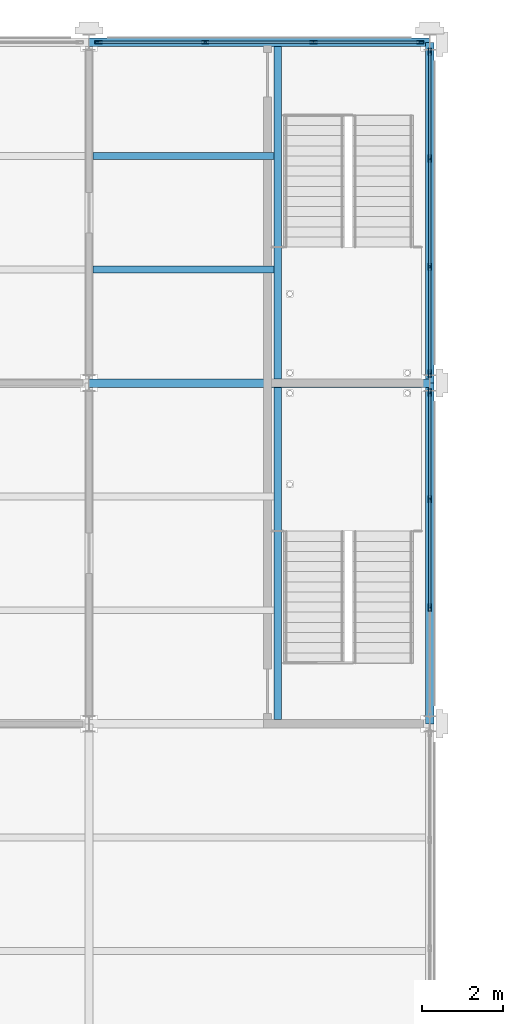
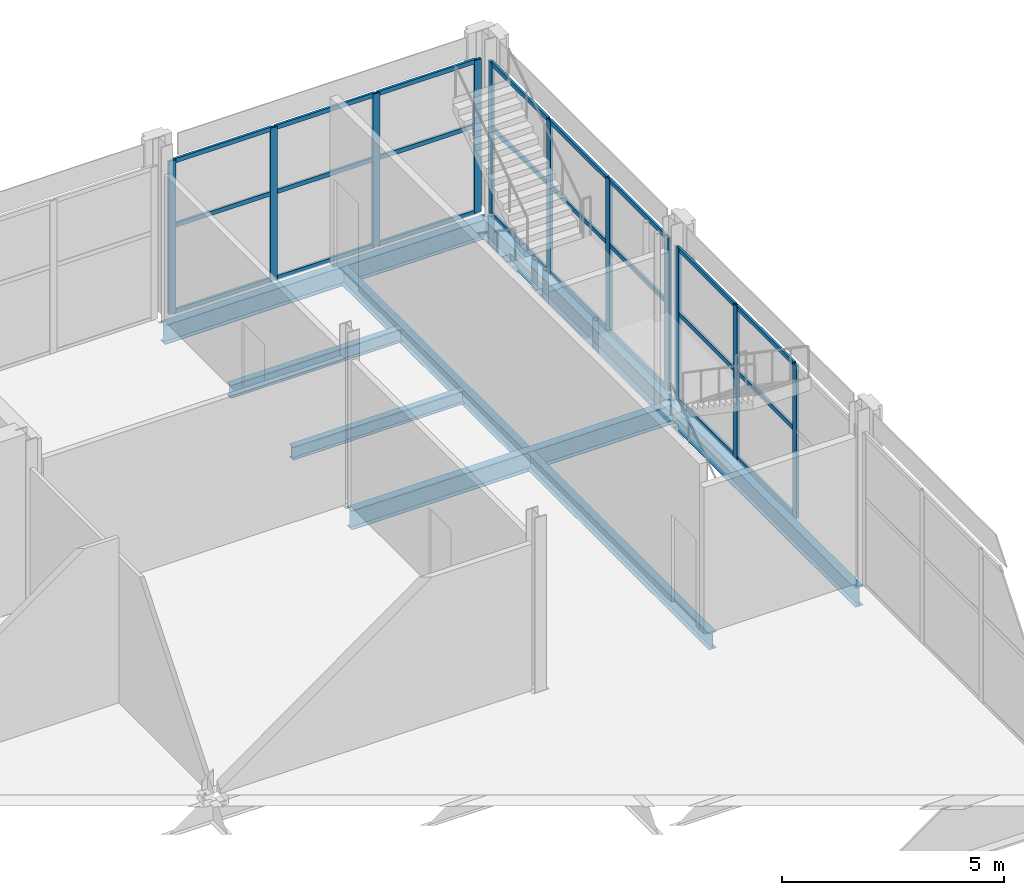
# One storey, part 131 of 167: 35 members, 8 beams, 3 elements without a shape of their own.
"""IFC4 building model written with IfcOpenShell, lengths in metres."""

from ifc_helpers import new_model, si_unit, direction, frame, origin, origin_2d, place, context, subcontext, project, spatial, hollow_rectangle, i_section, extrude, material, material_profile, profile_set, type_object, element, aggregate, save


model = new_model("IFC4")

# Units and contexts
model_context = context("Model", 3, precision=1e-05, world=origin(), true_north=direction((0.0, 1.0)))
body_context = subcontext(model_context, "Body", "Model", "MODEL_VIEW")
ifc_project = project(units=[si_unit("LENGTHUNIT", "METRE"), si_unit("AREAUNIT", "SQUARE_METRE"), si_unit("VOLUMEUNIT", "CUBIC_METRE"), si_unit("PLANEANGLEUNIT", "RADIAN"), si_unit("MASSUNIT", "GRAM", prefix="KILO")], contexts=[model_context])

# Site, building, storey
site_placement = place(None, origin())
site = spatial("IfcSite", under=ifc_project, at=site_placement, CompositionType="ELEMENT")
building_placement = place(site_placement, origin())
building = spatial("IfcBuilding", under=site, at=building_placement, Name="Catenary Quay Ferry Terminal", CompositionType="ELEMENT")
storey_placement = place(building_placement, frame((0.0, 0.0, 6.0)))
storey = spatial("IfcBuildingStorey", under=building, at=storey_placement, Name="L01", CompositionType="ELEMENT", Elevation=6.0)

# Beams
ifc_material_1 = material(Name="Steel S355", Category="steel")
ifc_material_profile_1 = material_profile(ifc_material_1, i_section(OverallWidth=0.18994140625, OverallDepth=0.453369140625, WebThickness=0.008544921875, FlangeThickness=0.0126953125, at=origin_2d()), Name="UB 457x191x67")
ifc_profile_set_1 = profile_set([ifc_material_profile_1], Name="Steel S355")
beam_type_1 = type_object("IfcBeamType", Name="B1 UB 457x191x67", PredefinedType="BEAM", material=ifc_profile_set_1)
beam_1_placement = place(storey_placement, frame((63.449951171875, 193.303955078125, -0.427001953125), z_axis=(0.0, 1.0, 0.0), x_axis=(-1.0, 0.0, 0.0)))
element("IfcBeam", 1, at=beam_1_placement, inside=storey, type_object=beam_type_1, Name="Beam B1-100", PredefinedType="BEAM", context=body_context, shape_type="SweptSolid", body=[
    extrude(i_section(OverallWidth=0.18994140625, OverallDepth=0.453369140625, WebThickness=0.008544921875, FlangeThickness=0.0126953125, at=origin_2d()), origin(), (0.0, 0.0, 1.0), 8.192138671875),
])
beam_2_placement = place(storey_placement, frame((63.449951171875, 201.7041015625, -0.427001953125), z_axis=(0.0, 1.0, 0.0), x_axis=(-1.0, 0.0, 0.0)))
element("IfcBeam", 2, at=beam_2_placement, inside=storey, type_object=beam_type_1, Name="Beam B1-101", PredefinedType="BEAM", context=body_context, shape_type="SweptSolid", body=[
    extrude(i_section(OverallWidth=0.18994140625, OverallDepth=0.453369140625, WebThickness=0.008544921875, FlangeThickness=0.0126953125, at=origin_2d()), origin(), (0.0, 0.0, 1.0), 8.19189453125),
])
ifc_material_2 = material(Name="Steel S355", Category="steel")
ifc_material_profile_2 = material_profile(ifc_material_2, i_section(OverallWidth=0.208740234375, OverallDepth=0.5283203125, WebThickness=0.009521484375, FlangeThickness=0.01318359375, at=origin_2d()), Name="UB 533x210x82")
ifc_profile_set_2 = profile_set([ifc_material_profile_2], Name="Steel S355")
beam_type_2 = type_object("IfcBeamType", Name="B5 UB 533x210x82", PredefinedType="BEAM", material=ifc_profile_set_2)
for number, where, z_axis, x_axis, name in (
    (3, (58.800048828125, 201.60009765625, -0.464111328125), (1.0, 0.0, 0.0), (0.0, 1.0, 0.0), "Beam B5-019"),
    (4, (58.800048828125, 210.0, -0.464111328125), (1.0, 0.0, 0.0), (0.0, 1.0, 0.0), "Beam B5-021"),
):
    element("IfcBeam", number, at=place(storey_placement, frame(where, z_axis=z_axis, x_axis=x_axis)), inside=storey, type_object=beam_type_2, Name=name, PredefinedType="BEAM", context=body_context, shape_type="SweptSolid", body=[
        extrude(i_section(OverallWidth=0.208740234375, OverallDepth=0.5283203125, WebThickness=0.009521484375, FlangeThickness=0.01318359375, at=origin_2d()), origin(), (0.0, 0.0, 1.0), 8.39990234375),
    ])
beam_3_placement = place(storey_placement, frame((67.199951171875, 193.199951171875, -0.464111328125), z_axis=(0.0, 1.0, 0.0), x_axis=(-1.0, 0.0, 0.0)))
element("IfcBeam", 5, at=beam_3_placement, inside=storey, type_object=beam_type_2, Name="Beam B5-054", PredefinedType="BEAM", context=body_context, shape_type="SweptSolid", body=[
    extrude(i_section(OverallWidth=0.208740234375, OverallDepth=0.5283203125, WebThickness=0.009521484375, FlangeThickness=0.01318359375, at=origin_2d()), origin(), (0.0, 0.0, 1.0), 8.400146484375),
])
beam_4_placement = place(storey_placement, frame((67.199951171875, 201.60009765625, -0.464111328125), z_axis=(0.0, 1.0, 0.0), x_axis=(-1.0, 0.0, 0.0)))
element("IfcBeam", 6, at=beam_4_placement, inside=storey, type_object=beam_type_2, Name="Beam B5-055", PredefinedType="BEAM", context=body_context, shape_type="SweptSolid", body=[
    extrude(i_section(OverallWidth=0.208740234375, OverallDepth=0.5283203125, WebThickness=0.009521484375, FlangeThickness=0.01318359375, at=origin_2d()), origin(), (0.0, 0.0, 1.0), 8.39990234375),
])
ifc_material_3 = material(Name="Steel S355", Category="steel")
ifc_material_profile_3 = material_profile(ifc_material_3, i_section(OverallWidth=0.169921875, OverallDepth=0.360107421875, WebThickness=0.008056640625, FlangeThickness=0.0126953125, at=origin_2d()), Name="IPE 360")
ifc_profile_set_3 = profile_set([ifc_material_profile_3], Name="Steel S355")
beam_type_3 = type_object("IfcBeamType", Name="B7 IPE 360", PredefinedType="BEAM", material=ifc_profile_set_3)
for number, where, z_axis, x_axis, name in (
    (7, (58.904052734375, 204.39990234375, -0.3798828125), (1.0, 0.0, 0.0), (0.0, 1.0, 0.0), "Beam B7-070"),
    (8, (58.904052734375, 207.199951171875, -0.3798828125), (1.0, 0.0, 0.0), (0.0, 1.0, 0.0), "Beam B7-072"),
):
    element("IfcBeam", number, at=place(storey_placement, frame(where, z_axis=z_axis, x_axis=x_axis)), inside=storey, type_object=beam_type_3, Name=name, PredefinedType="BEAM", context=body_context, shape_type="SweptSolid", body=[
        extrude(i_section(OverallWidth=0.169921875, OverallDepth=0.360107421875, WebThickness=0.008056640625, FlangeThickness=0.0126953125, at=origin_2d()), origin(), (0.0, 0.0, 1.0), 4.450927734375),
    ])

# Curtain wall, members
ifc_material_4 = material(Name="Aluminium and glass", Category="aluminium")
curtain_wall_type = type_object("IfcCurtainWallType", Name="CWW2", PredefinedType="NOTDEFINED", material=ifc_material_4)
curtain_wall_1_placement = place(storey_placement, origin())
curtain_wall_1 = element("IfcCurtainWall", 9, at=curtain_wall_1_placement, inside=storey, type_object=curtain_wall_type, Name="Wing curtain wall CW120", PredefinedType="NOTDEFINED")
ifc_material_5 = material(Name="Aluminium", Category="aluminium")
ifc_material_profile_4 = material_profile(ifc_material_5, hollow_rectangle(XDim=0.070068359375, YDim=0.179931640625, WallThickness=0.006103515625, at=origin_2d()), Name="MU3")
ifc_profile_set_4 = profile_set([ifc_material_profile_4], Name="Aluminium")
member_type_1 = type_object("IfcMemberType", Name="MU3", PredefinedType="MULLION", material=ifc_profile_set_4)
member_1_placement = place(storey_placement, frame((67.199951171875, 196.066650390625, 0.0), z_axis=(0.0, 0.0, 1.0), x_axis=(-1.0, 0.0, 0.0)))
member_1 = element("IfcMember", 10, at=member_1_placement, type_object=member_type_1, Name="CW120 mullion 2", PredefinedType="MULLION", context=body_context, shape_type="SweptSolid", body=[
    extrude(hollow_rectangle(XDim=0.070068359375, YDim=0.179931640625, WallThickness=0.006103515625, at=origin_2d()), origin(), (0.0, 0.0, 1.0), 4.199951171875),
])
member_2_placement = place(storey_placement, frame((67.199951171875, 198.7333984375, 0.0), z_axis=(0.0, 0.0, 1.0), x_axis=(-1.0, 0.0, 0.0)))
member_2 = element("IfcMember", 11, at=member_2_placement, type_object=member_type_1, Name="CW120 mullion 3", PredefinedType="MULLION", context=body_context, shape_type="SweptSolid", body=[
    extrude(hollow_rectangle(XDim=0.070068359375, YDim=0.179931640625, WallThickness=0.006103515625, at=origin_2d()), origin(), (0.0, 0.0, 1.0), 4.199951171875),
])
member_3_placement = place(storey_placement, frame((67.199951171875, 201.364990234375, 0.0), z_axis=(0.0, 0.0, 1.0), x_axis=(-1.0, 0.0, 0.0)))
member_3 = element("IfcMember", 12, at=member_3_placement, type_object=member_type_1, Name="CW120 mullion 4", PredefinedType="MULLION", context=body_context, shape_type="SweptSolid", body=[
    extrude(hollow_rectangle(XDim=0.070068359375, YDim=0.179931640625, WallThickness=0.006103515625, at=origin_2d()), origin(), (0.0, 0.0, 1.0), 4.199951171875),
])

curtain_wall_2_placement = place(storey_placement, origin())
curtain_wall_2 = element("IfcCurtainWall", 13, at=curtain_wall_2_placement, inside=storey, type_object=curtain_wall_type, Name="Wing curtain wall CW121", PredefinedType="NOTDEFINED")
member_4_placement = place(storey_placement, frame((67.199951171875, 201.8349609375, 0.0), z_axis=(0.0, 0.0, 1.0), x_axis=(-1.0, 0.0, 0.0)))
member_4 = element("IfcMember", 14, at=member_4_placement, type_object=member_type_1, Name="CW121 mullion 1", PredefinedType="MULLION", context=body_context, shape_type="SweptSolid", body=[
    extrude(hollow_rectangle(XDim=0.070068359375, YDim=0.179931640625, WallThickness=0.006103515625, at=origin_2d()), origin(), (0.0, 0.0, 1.0), 4.199951171875),
])
member_5_placement = place(storey_placement, frame((67.199951171875, 204.466552734375, 0.0), z_axis=(0.0, 0.0, 1.0), x_axis=(-1.0, 0.0, 0.0)))
member_5 = element("IfcMember", 15, at=member_5_placement, type_object=member_type_1, Name="CW121 mullion 2", PredefinedType="MULLION", context=body_context, shape_type="SweptSolid", body=[
    extrude(hollow_rectangle(XDim=0.070068359375, YDim=0.179931640625, WallThickness=0.006103515625, at=origin_2d()), origin(), (0.0, 0.0, 1.0), 4.199951171875),
])
member_6_placement = place(storey_placement, frame((67.199951171875, 207.13330078125, 0.0), z_axis=(0.0, 0.0, 1.0), x_axis=(-1.0, 0.0, 0.0)))
member_6 = element("IfcMember", 16, at=member_6_placement, type_object=member_type_1, Name="CW121 mullion 3", PredefinedType="MULLION", context=body_context, shape_type="SweptSolid", body=[
    extrude(hollow_rectangle(XDim=0.070068359375, YDim=0.179931640625, WallThickness=0.006103515625, at=origin_2d()), origin(), (0.0, 0.0, 1.0), 4.199951171875),
])
member_7_placement = place(storey_placement, frame((67.199951171875, 209.764892578125, 0.0), z_axis=(0.0, 0.0, 1.0), x_axis=(-1.0, 0.0, 0.0)))
member_7 = element("IfcMember", 17, at=member_7_placement, type_object=member_type_1, Name="CW121 mullion 4", PredefinedType="MULLION", context=body_context, shape_type="SweptSolid", body=[
    extrude(hollow_rectangle(XDim=0.070068359375, YDim=0.179931640625, WallThickness=0.006103515625, at=origin_2d()), origin(), (0.0, 0.0, 1.0), 4.199951171875),
])

curtain_wall_3_placement = place(storey_placement, origin())
curtain_wall_3 = element("IfcCurtainWall", 18, at=curtain_wall_3_placement, inside=storey, type_object=curtain_wall_type, Name="Wing curtain wall CW123", PredefinedType="NOTDEFINED")
member_8_placement = place(storey_placement, frame((59.034912109375, 210.0, 0.0), z_axis=(0.0, 0.0, 1.0), x_axis=(0.0, 1.0, 0.0)))
member_8 = element("IfcMember", 19, at=member_8_placement, type_object=member_type_1, Name="CW123 mullion 1", PredefinedType="MULLION", context=body_context, shape_type="SweptSolid", body=[
    extrude(hollow_rectangle(XDim=0.070068359375, YDim=0.179931640625, WallThickness=0.006103515625, at=origin_2d()), origin(), (0.0, 0.0, 1.0), 4.199951171875),
])
member_9_placement = place(storey_placement, frame((61.666748046875, 210.0, 0.0), z_axis=(0.0, 0.0, 1.0), x_axis=(0.0, 1.0, 0.0)))
member_9 = element("IfcMember", 20, at=member_9_placement, type_object=member_type_1, Name="CW123 mullion 2", PredefinedType="MULLION", context=body_context, shape_type="SweptSolid", body=[
    extrude(hollow_rectangle(XDim=0.070068359375, YDim=0.179931640625, WallThickness=0.006103515625, at=origin_2d()), origin(), (0.0, 0.0, 1.0), 4.199951171875),
])
member_10_placement = place(storey_placement, frame((64.333251953125, 210.0, 0.0), z_axis=(0.0, 0.0, 1.0), x_axis=(0.0, 1.0, 0.0)))
member_10 = element("IfcMember", 21, at=member_10_placement, type_object=member_type_1, Name="CW123 mullion 3", PredefinedType="MULLION", context=body_context, shape_type="SweptSolid", body=[
    extrude(hollow_rectangle(XDim=0.070068359375, YDim=0.179931640625, WallThickness=0.006103515625, at=origin_2d()), origin(), (0.0, 0.0, 1.0), 4.199951171875),
])
member_11_placement = place(storey_placement, frame((66.965087890625, 210.0, 0.0), z_axis=(0.0, 0.0, 1.0), x_axis=(0.0, 1.0, 0.0)))
member_11 = element("IfcMember", 22, at=member_11_placement, type_object=member_type_1, Name="CW123 mullion 4", PredefinedType="MULLION", context=body_context, shape_type="SweptSolid", body=[
    extrude(hollow_rectangle(XDim=0.070068359375, YDim=0.179931640625, WallThickness=0.006103515625, at=origin_2d()), origin(), (0.0, 0.0, 1.0), 4.199951171875),
])

# Member
ifc_material_6 = material(Name="Aluminium", Category="aluminium")
ifc_material_profile_5 = material_profile(ifc_material_6, hollow_rectangle(XDim=0.06005859375, YDim=0.1201171875, WallThickness=0.0048828125, at=origin_2d()), Name="TR3")
ifc_profile_set_5 = profile_set([ifc_material_profile_5], Name="Aluminium")
member_type_2 = type_object("IfcMemberType", Name="TR3", PredefinedType="USERDEFINED", material=ifc_profile_set_5)
member_12_placement = place(storey_placement, frame((67.199951171875, 196.1015625, 0.030029296875), z_axis=(0.0, 1.0, 0.0), x_axis=(-1.0, 0.0, 0.0)))
member_12 = element("IfcMember", 23, at=member_12_placement, type_object=member_type_2, Name="CW120 transom 2.1", ObjectType="TRANSOM", PredefinedType="USERDEFINED", context=body_context, shape_type="SweptSolid", body=[
    extrude(hollow_rectangle(XDim=0.06005859375, YDim=0.1201171875, WallThickness=0.0048828125, at=origin_2d()), origin(), (0.0, 0.0, 1.0), 2.5966796875),
])

member_13_placement = place(storey_placement, frame((67.199951171875, 196.1015625, 2.39990234375), z_axis=(0.0, 1.0, 0.0), x_axis=(-1.0, 0.0, 0.0)))
member_13 = element("IfcMember", 24, at=member_13_placement, type_object=member_type_2, Name="CW120 transom 2.2", ObjectType="TRANSOM", PredefinedType="USERDEFINED", context=body_context, shape_type="SweptSolid", body=[
    extrude(hollow_rectangle(XDim=0.06005859375, YDim=0.1201171875, WallThickness=0.0048828125, at=origin_2d()), origin(), (0.0, 0.0, 1.0), 2.5966796875),
])

member_14_placement = place(storey_placement, frame((67.199951171875, 196.1015625, 4.169921875), z_axis=(0.0, 1.0, 0.0), x_axis=(-1.0, 0.0, 0.0)))
member_14 = element("IfcMember", 25, at=member_14_placement, type_object=member_type_2, Name="CW120 transom 2.3", ObjectType="TRANSOM", PredefinedType="USERDEFINED", context=body_context, shape_type="SweptSolid", body=[
    extrude(hollow_rectangle(XDim=0.06005859375, YDim=0.1201171875, WallThickness=0.0048828125, at=origin_2d()), origin(), (0.0, 0.0, 1.0), 2.5966796875),
])

member_15_placement = place(storey_placement, frame((67.199951171875, 198.768310546875, 0.030029296875), z_axis=(0.0, 1.0, 0.0), x_axis=(-1.0, 0.0, 0.0)))
member_15 = element("IfcMember", 26, at=member_15_placement, type_object=member_type_2, Name="CW120 transom 3.1", ObjectType="TRANSOM", PredefinedType="USERDEFINED", context=body_context, shape_type="SweptSolid", body=[
    extrude(hollow_rectangle(XDim=0.06005859375, YDim=0.1201171875, WallThickness=0.0048828125, at=origin_2d()), origin(), (0.0, 0.0, 1.0), 2.561767578125),
])

member_16_placement = place(storey_placement, frame((67.199951171875, 198.768310546875, 2.39990234375), z_axis=(0.0, 1.0, 0.0), x_axis=(-1.0, 0.0, 0.0)))
member_16 = element("IfcMember", 27, at=member_16_placement, type_object=member_type_2, Name="CW120 transom 3.2", ObjectType="TRANSOM", PredefinedType="USERDEFINED", context=body_context, shape_type="SweptSolid", body=[
    extrude(hollow_rectangle(XDim=0.06005859375, YDim=0.1201171875, WallThickness=0.0048828125, at=origin_2d()), origin(), (0.0, 0.0, 1.0), 2.561767578125),
])

member_17_placement = place(storey_placement, frame((67.199951171875, 198.768310546875, 4.169921875), z_axis=(0.0, 1.0, 0.0), x_axis=(-1.0, 0.0, 0.0)))
member_17 = element("IfcMember", 28, at=member_17_placement, type_object=member_type_2, Name="CW120 transom 3.3", ObjectType="TRANSOM", PredefinedType="USERDEFINED", context=body_context, shape_type="SweptSolid", body=[
    extrude(hollow_rectangle(XDim=0.06005859375, YDim=0.1201171875, WallThickness=0.0048828125, at=origin_2d()), origin(), (0.0, 0.0, 1.0), 2.561767578125),
])

aggregate(curtain_wall_1, [member_1, member_2, member_3, member_12, member_13, member_14, member_15, member_16, member_17])

member_18_placement = place(storey_placement, frame((67.199951171875, 201.8701171875, 0.030029296875), z_axis=(0.0, 1.0, 0.0), x_axis=(-1.0, 0.0, 0.0)))
member_18 = element("IfcMember", 29, at=member_18_placement, type_object=member_type_2, Name="CW121 transom 1.1", ObjectType="TRANSOM", PredefinedType="USERDEFINED", context=body_context, shape_type="SweptSolid", body=[
    extrude(hollow_rectangle(XDim=0.06005859375, YDim=0.1201171875, WallThickness=0.0048828125, at=origin_2d()), origin(), (0.0, 0.0, 1.0), 2.5615234375),
])

member_19_placement = place(storey_placement, frame((67.199951171875, 201.8701171875, 2.39990234375), z_axis=(0.0, 1.0, 0.0), x_axis=(-1.0, 0.0, 0.0)))
member_19 = element("IfcMember", 30, at=member_19_placement, type_object=member_type_2, Name="CW121 transom 1.2", ObjectType="TRANSOM", PredefinedType="USERDEFINED", context=body_context, shape_type="SweptSolid", body=[
    extrude(hollow_rectangle(XDim=0.06005859375, YDim=0.1201171875, WallThickness=0.0048828125, at=origin_2d()), origin(), (0.0, 0.0, 1.0), 2.5615234375),
])

member_20_placement = place(storey_placement, frame((67.199951171875, 201.8701171875, 4.169921875), z_axis=(0.0, 1.0, 0.0), x_axis=(-1.0, 0.0, 0.0)))
member_20 = element("IfcMember", 31, at=member_20_placement, type_object=member_type_2, Name="CW121 transom 1.3", ObjectType="TRANSOM", PredefinedType="USERDEFINED", context=body_context, shape_type="SweptSolid", body=[
    extrude(hollow_rectangle(XDim=0.06005859375, YDim=0.1201171875, WallThickness=0.0048828125, at=origin_2d()), origin(), (0.0, 0.0, 1.0), 2.5615234375),
])

member_21_placement = place(storey_placement, frame((67.199951171875, 204.501708984375, 0.030029296875), z_axis=(0.0, 1.0, 0.0), x_axis=(-1.0, 0.0, 0.0)))
member_21 = element("IfcMember", 32, at=member_21_placement, type_object=member_type_2, Name="CW121 transom 2.1", ObjectType="TRANSOM", PredefinedType="USERDEFINED", context=body_context, shape_type="SweptSolid", body=[
    extrude(hollow_rectangle(XDim=0.06005859375, YDim=0.1201171875, WallThickness=0.0048828125, at=origin_2d()), origin(), (0.0, 0.0, 1.0), 2.5966796875),
])

member_22_placement = place(storey_placement, frame((67.199951171875, 204.501708984375, 2.39990234375), z_axis=(0.0, 1.0, 0.0), x_axis=(-1.0, 0.0, 0.0)))
member_22 = element("IfcMember", 33, at=member_22_placement, type_object=member_type_2, Name="CW121 transom 2.2", ObjectType="TRANSOM", PredefinedType="USERDEFINED", context=body_context, shape_type="SweptSolid", body=[
    extrude(hollow_rectangle(XDim=0.06005859375, YDim=0.1201171875, WallThickness=0.0048828125, at=origin_2d()), origin(), (0.0, 0.0, 1.0), 2.5966796875),
])

member_23_placement = place(storey_placement, frame((67.199951171875, 204.501708984375, 4.169921875), z_axis=(0.0, 1.0, 0.0), x_axis=(-1.0, 0.0, 0.0)))
member_23 = element("IfcMember", 34, at=member_23_placement, type_object=member_type_2, Name="CW121 transom 2.3", ObjectType="TRANSOM", PredefinedType="USERDEFINED", context=body_context, shape_type="SweptSolid", body=[
    extrude(hollow_rectangle(XDim=0.06005859375, YDim=0.1201171875, WallThickness=0.0048828125, at=origin_2d()), origin(), (0.0, 0.0, 1.0), 2.5966796875),
])

member_24_placement = place(storey_placement, frame((67.199951171875, 207.168212890625, 0.030029296875), z_axis=(0.0, 1.0, 0.0), x_axis=(-1.0, 0.0, 0.0)))
member_24 = element("IfcMember", 35, at=member_24_placement, type_object=member_type_2, Name="CW121 transom 3.1", ObjectType="TRANSOM", PredefinedType="USERDEFINED", context=body_context, shape_type="SweptSolid", body=[
    extrude(hollow_rectangle(XDim=0.06005859375, YDim=0.1201171875, WallThickness=0.0048828125, at=origin_2d()), origin(), (0.0, 0.0, 1.0), 2.561767578125),
])

member_25_placement = place(storey_placement, frame((67.199951171875, 207.168212890625, 2.39990234375), z_axis=(0.0, 1.0, 0.0), x_axis=(-1.0, 0.0, 0.0)))
member_25 = element("IfcMember", 36, at=member_25_placement, type_object=member_type_2, Name="CW121 transom 3.2", ObjectType="TRANSOM", PredefinedType="USERDEFINED", context=body_context, shape_type="SweptSolid", body=[
    extrude(hollow_rectangle(XDim=0.06005859375, YDim=0.1201171875, WallThickness=0.0048828125, at=origin_2d()), origin(), (0.0, 0.0, 1.0), 2.561767578125),
])

member_26_placement = place(storey_placement, frame((67.199951171875, 207.168212890625, 4.169921875), z_axis=(0.0, 1.0, 0.0), x_axis=(-1.0, 0.0, 0.0)))
member_26 = element("IfcMember", 37, at=member_26_placement, type_object=member_type_2, Name="CW121 transom 3.3", ObjectType="TRANSOM", PredefinedType="USERDEFINED", context=body_context, shape_type="SweptSolid", body=[
    extrude(hollow_rectangle(XDim=0.06005859375, YDim=0.1201171875, WallThickness=0.0048828125, at=origin_2d()), origin(), (0.0, 0.0, 1.0), 2.561767578125),
])

aggregate(curtain_wall_2, [member_4, member_5, member_6, member_7, member_18, member_19, member_20, member_21, member_22, member_23, member_24, member_25, member_26])

member_27_placement = place(storey_placement, frame((59.070068359375, 210.0, 0.030029296875), z_axis=(1.0, 0.0, 0.0), x_axis=(0.0, 1.0, 0.0)))
member_27 = element("IfcMember", 38, at=member_27_placement, type_object=member_type_2, Name="CW123 transom 1.1", ObjectType="TRANSOM", PredefinedType="USERDEFINED", context=body_context, shape_type="SweptSolid", body=[
    extrude(hollow_rectangle(XDim=0.06005859375, YDim=0.1201171875, WallThickness=0.0048828125, at=origin_2d()), origin(), (0.0, 0.0, 1.0), 2.5615234375),
])

member_28_placement = place(storey_placement, frame((59.070068359375, 210.0, 2.39990234375), z_axis=(1.0, 0.0, 0.0), x_axis=(0.0, 1.0, 0.0)))
member_28 = element("IfcMember", 39, at=member_28_placement, type_object=member_type_2, Name="CW123 transom 1.2", ObjectType="TRANSOM", PredefinedType="USERDEFINED", context=body_context, shape_type="SweptSolid", body=[
    extrude(hollow_rectangle(XDim=0.06005859375, YDim=0.1201171875, WallThickness=0.0048828125, at=origin_2d()), origin(), (0.0, 0.0, 1.0), 2.5615234375),
])

member_29_placement = place(storey_placement, frame((59.070068359375, 210.0, 4.169921875), z_axis=(1.0, 0.0, 0.0), x_axis=(0.0, 1.0, 0.0)))
member_29 = element("IfcMember", 40, at=member_29_placement, type_object=member_type_2, Name="CW123 transom 1.3", ObjectType="TRANSOM", PredefinedType="USERDEFINED", context=body_context, shape_type="SweptSolid", body=[
    extrude(hollow_rectangle(XDim=0.06005859375, YDim=0.1201171875, WallThickness=0.0048828125, at=origin_2d()), origin(), (0.0, 0.0, 1.0), 2.5615234375),
])

member_30_placement = place(storey_placement, frame((61.70166015625, 210.0, 0.030029296875), z_axis=(1.0, 0.0, 0.0), x_axis=(0.0, 1.0, 0.0)))
member_30 = element("IfcMember", 41, at=member_30_placement, type_object=member_type_2, Name="CW123 transom 2.1", ObjectType="TRANSOM", PredefinedType="USERDEFINED", context=body_context, shape_type="SweptSolid", body=[
    extrude(hollow_rectangle(XDim=0.06005859375, YDim=0.1201171875, WallThickness=0.0048828125, at=origin_2d()), origin(), (0.0, 0.0, 1.0), 2.5966796875),
])

member_31_placement = place(storey_placement, frame((61.70166015625, 210.0, 2.39990234375), z_axis=(1.0, 0.0, 0.0), x_axis=(0.0, 1.0, 0.0)))
member_31 = element("IfcMember", 42, at=member_31_placement, type_object=member_type_2, Name="CW123 transom 2.2", ObjectType="TRANSOM", PredefinedType="USERDEFINED", context=body_context, shape_type="SweptSolid", body=[
    extrude(hollow_rectangle(XDim=0.06005859375, YDim=0.1201171875, WallThickness=0.0048828125, at=origin_2d()), origin(), (0.0, 0.0, 1.0), 2.5966796875),
])

member_32_placement = place(storey_placement, frame((61.70166015625, 210.0, 4.169921875), z_axis=(1.0, 0.0, 0.0), x_axis=(0.0, 1.0, 0.0)))
member_32 = element("IfcMember", 43, at=member_32_placement, type_object=member_type_2, Name="CW123 transom 2.3", ObjectType="TRANSOM", PredefinedType="USERDEFINED", context=body_context, shape_type="SweptSolid", body=[
    extrude(hollow_rectangle(XDim=0.06005859375, YDim=0.1201171875, WallThickness=0.0048828125, at=origin_2d()), origin(), (0.0, 0.0, 1.0), 2.5966796875),
])

member_33_placement = place(storey_placement, frame((64.368408203125, 210.0, 0.030029296875), z_axis=(1.0, 0.0, 0.0), x_axis=(0.0, 1.0, 0.0)))
member_33 = element("IfcMember", 44, at=member_33_placement, type_object=member_type_2, Name="CW123 transom 3.1", ObjectType="TRANSOM", PredefinedType="USERDEFINED", context=body_context, shape_type="SweptSolid", body=[
    extrude(hollow_rectangle(XDim=0.06005859375, YDim=0.1201171875, WallThickness=0.0048828125, at=origin_2d()), origin(), (0.0, 0.0, 1.0), 2.5615234375),
])

member_34_placement = place(storey_placement, frame((64.368408203125, 210.0, 2.39990234375), z_axis=(1.0, 0.0, 0.0), x_axis=(0.0, 1.0, 0.0)))
member_34 = element("IfcMember", 45, at=member_34_placement, type_object=member_type_2, Name="CW123 transom 3.2", ObjectType="TRANSOM", PredefinedType="USERDEFINED", context=body_context, shape_type="SweptSolid", body=[
    extrude(hollow_rectangle(XDim=0.06005859375, YDim=0.1201171875, WallThickness=0.0048828125, at=origin_2d()), origin(), (0.0, 0.0, 1.0), 2.5615234375),
])

member_35_placement = place(storey_placement, frame((64.368408203125, 210.0, 4.169921875), z_axis=(1.0, 0.0, 0.0), x_axis=(0.0, 1.0, 0.0)))
member_35 = element("IfcMember", 46, at=member_35_placement, type_object=member_type_2, Name="CW123 transom 3.3", ObjectType="TRANSOM", PredefinedType="USERDEFINED", context=body_context, shape_type="SweptSolid", body=[
    extrude(hollow_rectangle(XDim=0.06005859375, YDim=0.1201171875, WallThickness=0.0048828125, at=origin_2d()), origin(), (0.0, 0.0, 1.0), 2.5615234375),
])

aggregate(curtain_wall_3, [member_8, member_9, member_10, member_11, member_27, member_28, member_29, member_30, member_31, member_32, member_33, member_34, member_35])

save(model, "model.ifc")
